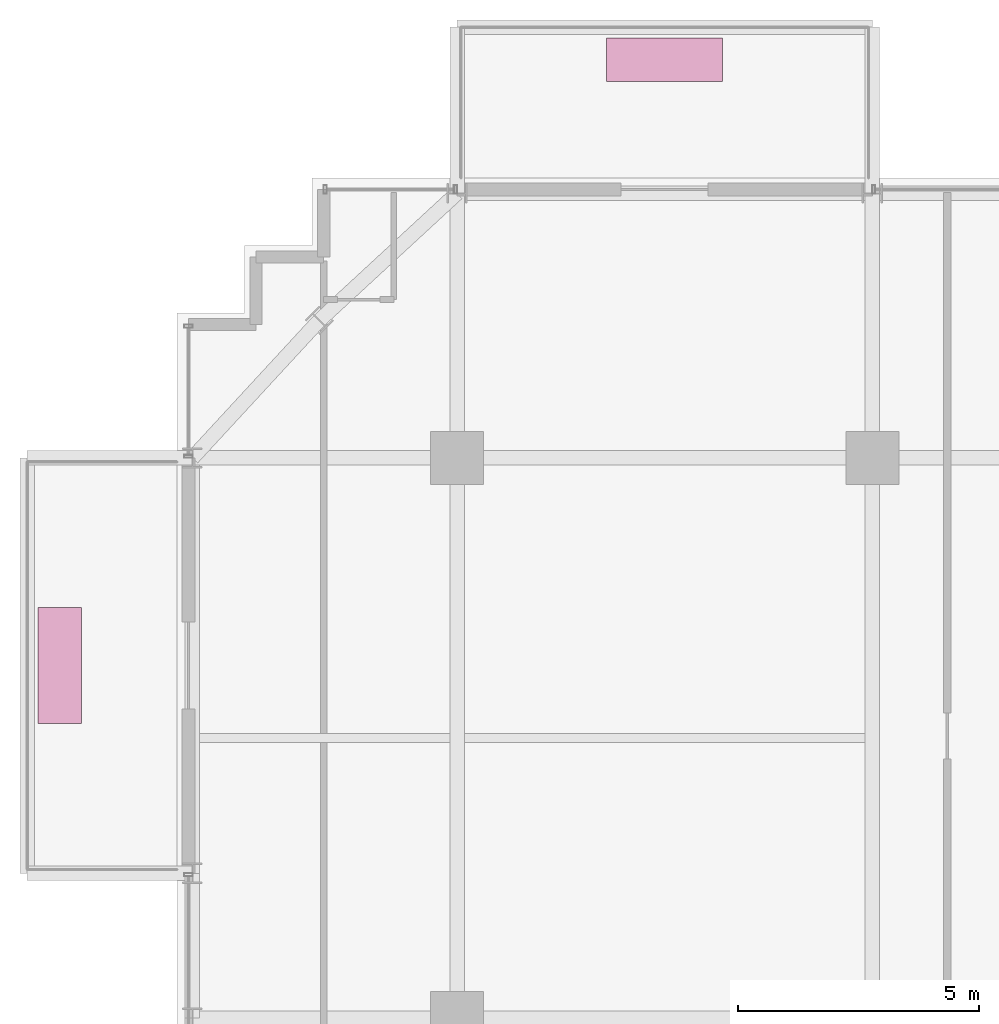
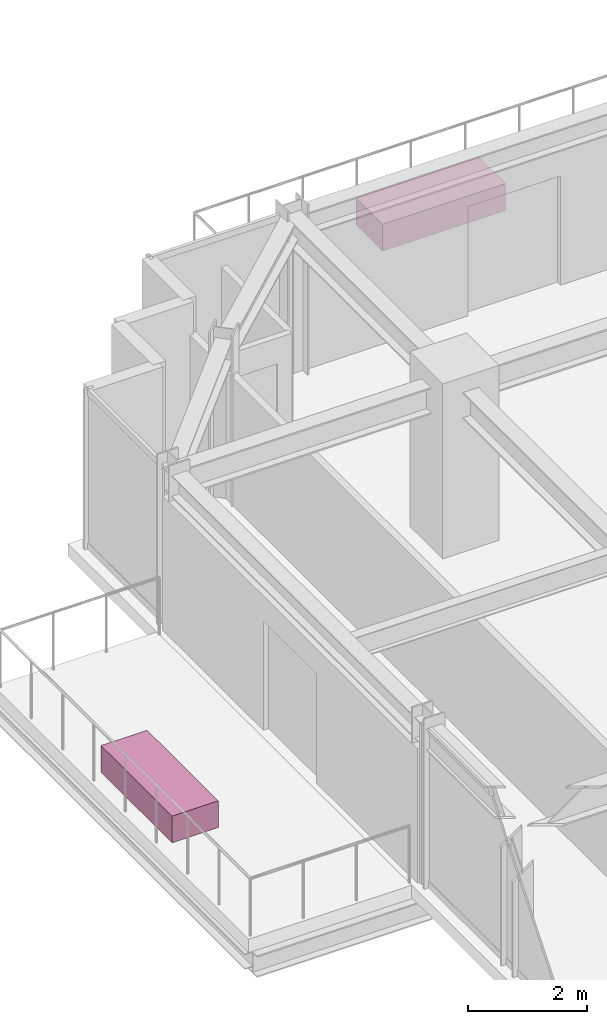
# One storey, part 32 of 32: 2 furnishings.
"""IFC4 building model written with IfcOpenShell, lengths in metres."""

from ifc_helpers import new_model, si_unit, direction, frame, origin, origin_2d, place, context, subcontext, project, spatial, rectangle, extrude, source, transform, mapped, material, type_object, element, save


model = new_model("IFC4")

# Units and contexts
model_context = context("Model", 3, precision=1e-05, world=origin(), true_north=direction((0.0, 1.0)))
body_context = subcontext(model_context, "Body", "Model", "MODEL_VIEW")
ifc_project = project(units=[si_unit("LENGTHUNIT", "METRE"), si_unit("AREAUNIT", "SQUARE_METRE"), si_unit("VOLUMEUNIT", "CUBIC_METRE"), si_unit("PLANEANGLEUNIT", "RADIAN"), si_unit("MASSUNIT", "GRAM", prefix="KILO")], contexts=[model_context])

# Site, building, storey
site_placement = place(None, origin())
site = spatial("IfcSite", under=ifc_project, at=site_placement, CompositionType="ELEMENT")
building_placement = place(site_placement, origin())
building = spatial("IfcBuilding", under=site, at=building_placement, Name="Nahalor Promenade Grand Hotel", CompositionType="ELEMENT")
storey_placement = place(building_placement, frame((0.0, 0.0, 196.449951171875)))
storey = spatial("IfcBuildingStorey", under=building, at=storey_placement, Name="L50", CompositionType="ELEMENT", Elevation=196.449951171875)

# Furnishings
ifc_material = material(Name="Vegetated Volcanic-Lapilli Tree Planter", Category="earth")
furnishing_element_type = type_object("IfcFurnishingElementType", Name="Planter-VerticalForest-Box", material=ifc_material)
shared_shape = source(origin(), body_context, "Body", "SweptSolid", [
    extrude(rectangle(XDim=2.39990234375, YDim=0.89990234375, at=origin_2d()), origin(), (0.0, 0.0, 1.0), 0.550048828125),
])
for number, where, z_axis, x_axis, name in (
    (1, (-12.699951171875, 25.25, 0.0), (0.0, 0.0, 1.0), (1.0, 0.0, 0.0), "L50 Balcony Structural Tree Planter 1"),
    (2, (-25.22998046875, 12.699951171875, 0.0), (0.0, 0.0, 1.0), (0.0, 1.0, 0.0), "L50 Balcony Structural Tree Planter 2"),
):
    element("IfcFurnishingElement", number, at=place(storey_placement, frame(where, z_axis=z_axis, x_axis=x_axis)), inside=storey, type_object=furnishing_element_type, Name=name, ObjectType="PLANTER", context=body_context, shape_type="MappedRepresentation", body=[
        mapped(shared_shape, transform((0.0, 0.0, 0.0), scale=1.0)),
    ])

save(model, "model.ifc")
